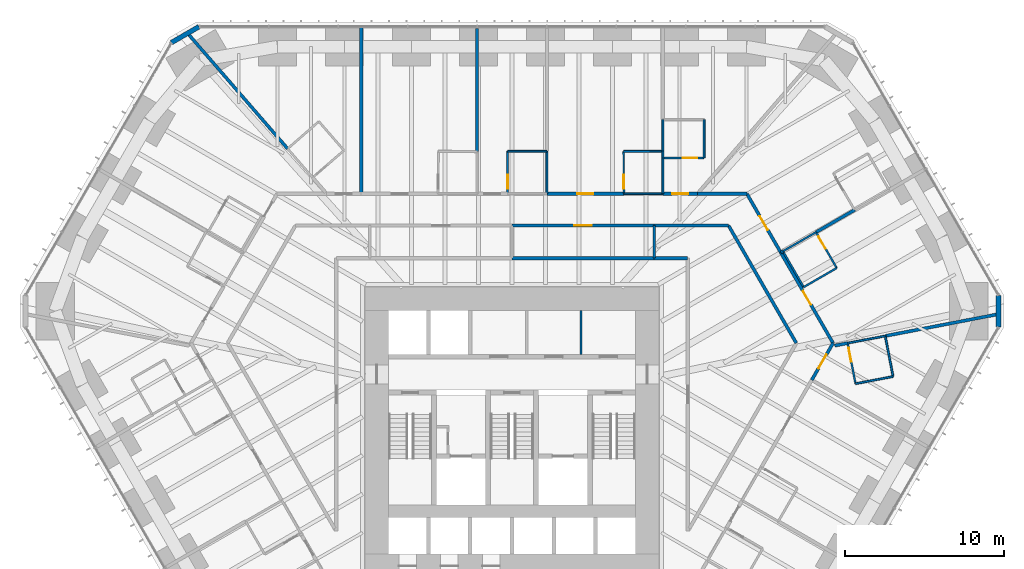
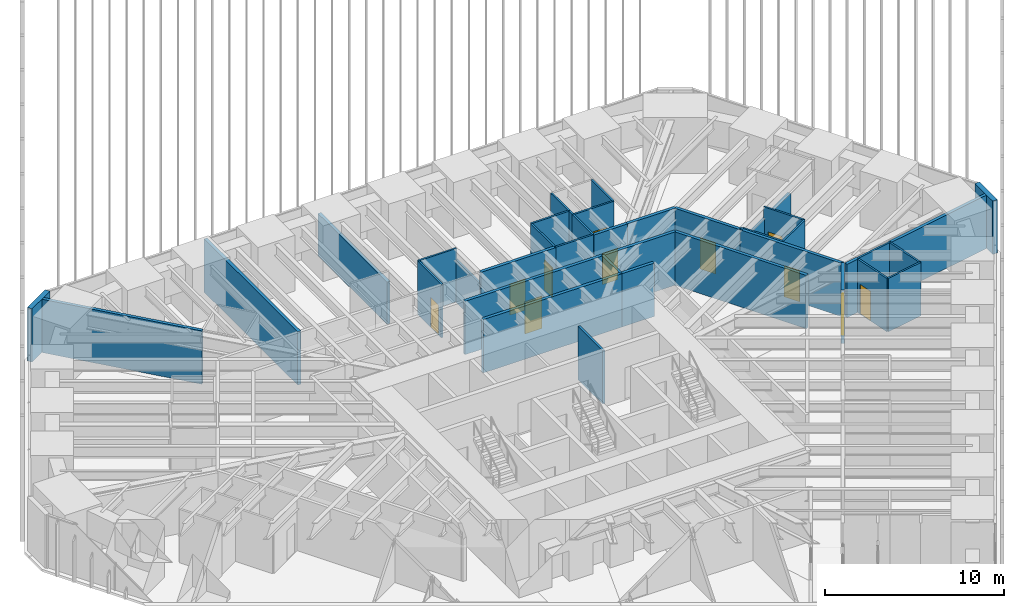
# One storey, part 254 of 256: 41 walls, 11 doors, 11 openings.
"""IFC4 building model written with IfcOpenShell, lengths in metres."""

from ifc_helpers import new_model, si_unit, direction, frame, frame_2d, origin, place, context, subcontext, project, spatial, rectangle, extrude, material, layer, layer_set, type_object, element, fill, save


model = new_model("IFC4")

# Units and contexts
model_context = context("Model", 3, precision=1e-05, world=origin(), true_north=direction((0.0, 1.0)))
body_context = subcontext(model_context, "Body", "Model", "MODEL_VIEW")
ifc_project = project(units=[si_unit("LENGTHUNIT", "METRE"), si_unit("AREAUNIT", "SQUARE_METRE"), si_unit("VOLUMEUNIT", "CUBIC_METRE"), si_unit("PLANEANGLEUNIT", "RADIAN"), si_unit("MASSUNIT", "GRAM", prefix="KILO")], contexts=[model_context])

# Site, building, storey
site_placement = place(None, origin())
site = spatial("IfcSite", under=ifc_project, at=site_placement, CompositionType="ELEMENT")
building_placement = place(site_placement, origin())
building = spatial("IfcBuilding", under=site, at=building_placement, Name="Sandreach Pilgrim Tower", CompositionType="ELEMENT")
storey_placement = place(building_placement, frame((0.0, 0.0, 23.0)))
storey = spatial("IfcBuildingStorey", under=building, at=storey_placement, Name="L04", CompositionType="ELEMENT", Elevation=23.0)

# Walls
ifc_material_1 = material(Name="Gypsum board on steel studs", Category="steel")
ifc_layer_1 = layer(ifc_material_1, 0.14990234375)
ifc_layer_set_1 = layer_set([ifc_layer_1], Name="Back of house wall 150")
wall_type_1 = type_object("IfcWallType", Name="Back of house wall 150", PredefinedType="PARTITIONING", material=ifc_layer_set_1)
wall_1_placement = place(storey_placement, frame((8.93994140625, 11.449951171875, 0.0), z_axis=(0.0, 0.0, 1.0), x_axis=(0.0, -1.0, 0.0)))
element("IfcWall", 1, at=wall_1_placement, inside=storey, type_object=wall_type_1, Name="Back of house wall L04-112", PredefinedType="PARTITIONING", context=body_context, shape_type="SweptSolid", body=[
    extrude(rectangle(XDim=2.050048828125, YDim=0.14990234375, at=frame_2d((1.02490234375, 0.0))), origin(), (0.0, 0.0, 1.0), 3.639892578125),
])
wall_2_placement = place(storey_placement, frame((4.333251953125, 3.35009765625, 0.0), z_axis=(0.0, 0.0, 1.0), x_axis=(0.0, 1.0, 0.0)))
element("IfcWall", 2, at=wall_2_placement, inside=storey, type_object=wall_type_1, Name="Core room partition L04 2", PredefinedType="PARTITIONING", context=body_context, shape_type="SweptSolid", body=[
    extrude(rectangle(XDim=2.75, YDim=0.14990234375, at=frame_2d((1.375, 0.0))), origin(), (0.0, 0.0, 1.0), 3.639892578125),
])

# Wall, opening, door
ifc_material_2 = material(Name="Moisture-resistant gypsum board on steel studs", Category="steel")
ifc_layer_2 = layer(ifc_material_2, 0.1201171875)
ifc_layer_set_2 = layer_set([ifc_layer_2], Name="Bathroom partition 120")
wall_type_2 = type_object("IfcWallType", Name="Bathroom partition 120", PredefinedType="PARTITIONING", material=ifc_layer_set_2)
wall_3_placement = place(storey_placement, frame((-0.27001953125, 16.1201171875, 0.0), z_axis=(0.0, 0.0, 1.0), x_axis=(0.0, -1.0, 0.0)))
wall_3 = element("IfcWall", 3, at=wall_3_placement, inside=storey, type_object=wall_type_2, Name="Bathroom partition L04-076", PredefinedType="PARTITIONING", context=body_context, shape_type="SweptSolid", body=[
    extrude(rectangle(XDim=2.670166015625, YDim=0.1201171875, at=frame_2d((1.3349609375, 0.0))), origin(), (0.0, 0.0, 1.0), 3.639892578125),
])
opening_1_placement = place(wall_3_placement, frame((1.469970703125, 0.0, 0.0)))
opening_1 = element("IfcOpeningElement", 4, at=opening_1_placement, cuts=wall_3, Name="Opening D09-03B", PredefinedType="OPENING", context=body_context, shape_type="SweptSolid", body=[
    extrude(rectangle(XDim=0.89990234375, YDim=2.030029296875, at=frame_2d((0.449951171875, 1.01513671875))), frame((0.0, 0.06005859375, 0.0), z_axis=(0.0, -1.0, 0.0), x_axis=(1.0, 0.0, 0.0)), (0.0, 0.0, 1.0), 0.1201171875),
])
ifc_material_3 = material(Name="Timber door, steel frame", Category="steel")
door_type_1 = type_object("IfcDoorType", Name="Bathroom door", OperationType="SINGLE_SWING_LEFT", PredefinedType="DOOR", material=ifc_material_3)
door_1_placement = place(opening_1_placement, origin())
door_1 = element("IfcDoor", 5, at=door_1_placement, inside=storey, type_object=door_type_1, Name="Door 0403B", OperationType="SINGLE_SWING_RIGHT", OverallHeight=2.030029296875, OverallWidth=0.89990234375, PredefinedType="DOOR", context=body_context, shape_type="SweptSolid", body=[
    extrude(rectangle(XDim=0.89990234375, YDim=2.030029296875, at=frame_2d((0.449951171875, 1.01513671875))), frame((0.0, 0.02490234375, 0.0), z_axis=(0.0, -1.0, 0.0), x_axis=(1.0, 0.0, 0.0)), (0.0, 0.0, 1.0), 0.050048828125),
])
fill(opening_1, door_1)

# Walls
wall_4_placement = place(storey_placement, frame((2.18994140625, 16.1201171875, 0.0), z_axis=(0.0, 0.0, 1.0), x_axis=(-1.0, 0.0, 0.0)))
element("IfcWall", 6, at=wall_4_placement, inside=storey, type_object=wall_type_2, Name="Bathroom partition L04-090", PredefinedType="PARTITIONING", context=body_context, shape_type="SweptSolid", body=[
    extrude(rectangle(XDim=2.4599609375, YDim=0.1201171875, at=frame_2d((1.22998046875, 0.0))), origin(), (0.0, 0.0, 1.0), 3.639892578125),
])
wall_5_placement = place(storey_placement, frame((2.18994140625, 16.1201171875, 0.0), z_axis=(0.0, 0.0, 1.0), x_axis=(0.0, -1.0, 0.0)))
element("IfcWall", 7, at=wall_5_placement, inside=storey, type_object=wall_type_2, Name="Bathroom partition L04-091", PredefinedType="PARTITIONING", context=body_context, shape_type="SweptSolid", body=[
    extrude(rectangle(XDim=2.670166015625, YDim=0.1201171875, at=frame_2d((1.3349609375, 0.0))), origin(), (0.0, 0.0, 1.0), 2.8779296875),
])

# Wall, opening, door
wall_6_placement = place(storey_placement, frame((7.02001953125, 16.110107421875, 0.0), z_axis=(0.0, 0.0, 1.0), x_axis=(0.003762822113, -0.99999292056, 0.0)))
wall_6 = element("IfcWall", 8, at=wall_6_placement, inside=storey, type_object=wall_type_2, Name="Bathroom partition L04-102", PredefinedType="PARTITIONING", context=body_context, shape_type="SweptSolid", body=[
    extrude(rectangle(XDim=2.66015625, YDim=0.1201171875, at=frame_2d((1.330078125, 0.0))), origin(), (0.0, 0.0, 1.0), 3.639892578125),
])
opening_2_placement = place(wall_6_placement, frame((1.4599609375, 0.0, 0.0)))
opening_2 = element("IfcOpeningElement", 9, at=opening_2_placement, cuts=wall_6, Name="Opening D09-04B", PredefinedType="OPENING", context=body_context, shape_type="SweptSolid", body=[
    extrude(rectangle(XDim=0.89990234375, YDim=2.030029296875, at=frame_2d((0.449951171875, 1.01513671875))), frame((0.0, 0.06005859375, 0.0), z_axis=(0.0, -1.0, 0.0), x_axis=(1.0, 0.0, 0.0)), (0.0, 0.0, 1.0), 0.1201171875),
])
door_2_placement = place(opening_2_placement, origin())
door_2 = element("IfcDoor", 10, at=door_2_placement, inside=storey, type_object=door_type_1, Name="Door 0404B", OperationType="SINGLE_SWING_RIGHT", OverallHeight=2.030029296875, OverallWidth=0.89990234375, PredefinedType="DOOR", context=body_context, shape_type="SweptSolid", body=[
    extrude(rectangle(XDim=0.89990234375, YDim=2.030029296875, at=frame_2d((0.449951171875, 1.01513671875))), frame((0.0, 0.02490234375, 0.0), z_axis=(0.0, -1.0, 0.0), x_axis=(1.0, 0.0, 0.0)), (0.0, 0.0, 1.0), 0.050048828125),
])
fill(opening_2, door_2)

# Walls
wall_7_placement = place(storey_placement, frame((9.47998046875, 13.449951171875, 0.0), z_axis=(0.0, 0.0, 1.0), x_axis=(-1.0, 0.0, 0.0)))
element("IfcWall", 11, at=wall_7_placement, inside=storey, type_object=wall_type_2, Name="Bathroom partition L04-115", PredefinedType="PARTITIONING", context=body_context, shape_type="SweptSolid", body=[
    extrude(rectangle(XDim=2.449951171875, YDim=0.1201171875, at=frame_2d((1.22509765625, 0.0))), origin(), (0.0, 0.0, 1.0), 3.639892578125),
])
wall_8_placement = place(storey_placement, frame((9.47998046875, 15.699951171875, 0.0), z_axis=(0.0, 0.0, 1.0), x_axis=(0.0, -1.0, 0.0)))
element("IfcWall", 12, at=wall_8_placement, inside=storey, type_object=wall_type_2, Name="Bathroom partition L04-116", PredefinedType="PARTITIONING", context=body_context, shape_type="SweptSolid", body=[
    extrude(rectangle(XDim=2.25, YDim=0.1201171875, at=frame_2d((1.125, 0.0))), origin(), (0.0, 0.0, 1.0), 3.639892578125),
])

# Wall, opening, door
wall_9_placement = place(storey_placement, frame((9.47998046875, 15.699951171875, 0.0), z_axis=(0.0, 0.0, 1.0), x_axis=(1.0, 0.0, 0.0)))
wall_9 = element("IfcWall", 13, at=wall_9_placement, inside=storey, type_object=wall_type_2, Name="Bathroom partition L04-117", PredefinedType="PARTITIONING", context=body_context, shape_type="SweptSolid", body=[
    extrude(rectangle(XDim=2.60009765625, YDim=0.1201171875, at=frame_2d((1.300048828125, 0.0))), origin(), (0.0, 0.0, 1.0), 3.639892578125),
])
opening_3_placement = place(wall_9_placement, frame((1.25, 0.0, 0.0)))
opening_3 = element("IfcOpeningElement", 14, at=opening_3_placement, cuts=wall_9, Name="Opening D09-05B", PredefinedType="OPENING", context=body_context, shape_type="SweptSolid", body=[
    extrude(rectangle(XDim=0.89990234375, YDim=2.030029296875, at=frame_2d((0.449951171875, 1.01513671875))), frame((0.0, 0.06005859375, 0.0), z_axis=(0.0, -1.0, 0.0), x_axis=(1.0, 0.0, 0.0)), (0.0, 0.0, 1.0), 0.1201171875),
])
door_3_placement = place(opening_3_placement, origin())
door_3 = element("IfcDoor", 15, at=door_3_placement, inside=storey, type_object=door_type_1, Name="Door 0405B", OperationType="SINGLE_SWING_RIGHT", OverallHeight=2.030029296875, OverallWidth=0.89990234375, PredefinedType="DOOR", context=body_context, shape_type="SweptSolid", body=[
    extrude(rectangle(XDim=0.89990234375, YDim=2.030029296875, at=frame_2d((0.449951171875, 1.01513671875))), frame((0.0, 0.02490234375, 0.0), z_axis=(0.0, -1.0, 0.0), x_axis=(1.0, 0.0, 0.0)), (0.0, 0.0, 1.0), 0.050048828125),
])
fill(opening_3, door_3)

# Walls
wall_10_placement = place(storey_placement, frame((9.47998046875, 16.1201171875, 0.0), z_axis=(0.0, 0.0, 1.0), x_axis=(-0.999991721417, -0.004069041344, 0.0)))
element("IfcWall", 16, at=wall_10_placement, inside=storey, type_object=wall_type_2, Name="Bathroom partition L04-118", PredefinedType="PARTITIONING", context=body_context, shape_type="SweptSolid", body=[
    extrude(rectangle(XDim=2.4599609375, YDim=0.1201171875, at=frame_2d((1.22998046875, 0.0))), origin(), (0.0, 0.0, 1.0), 3.639892578125),
])
wall_11_placement = place(storey_placement, frame((9.47998046875, 16.1201171875, 0.0), z_axis=(0.0, 0.0, 1.0), x_axis=(0.0, -1.0, 0.0)))
element("IfcWall", 17, at=wall_11_placement, inside=storey, type_object=wall_type_2, Name="Bathroom partition L04-119", PredefinedType="PARTITIONING", context=body_context, shape_type="SweptSolid", body=[
    extrude(rectangle(XDim=0.420166015625, YDim=0.1201171875, at=frame_2d((0.2099609375, 0.0))), origin(), (0.0, 0.0, 1.0), 3.639892578125),
])
wall_12_placement = place(storey_placement, frame((9.47998046875, 18.10009765625, 0.0), z_axis=(0.0, 0.0, 1.0), x_axis=(0.0, -1.0, 0.0)))
element("IfcWall", 18, at=wall_12_placement, inside=storey, type_object=wall_type_2, Name="Bathroom partition L04-120", PredefinedType="PARTITIONING", context=body_context, shape_type="SweptSolid", body=[
    extrude(rectangle(XDim=1.97998046875, YDim=0.1201171875, at=frame_2d((0.989990234375, 0.0))), origin(), (0.0, 0.0, 1.0), 3.639892578125),
])
wall_13_placement = place(storey_placement, frame((12.080078125, 15.699951171875, 0.0), z_axis=(0.0, 0.0, 1.0), x_axis=(0.0, 1.0, 0.0)))
element("IfcWall", 19, at=wall_13_placement, inside=storey, type_object=wall_type_2, Name="Bathroom partition L04-132", PredefinedType="PARTITIONING", context=body_context, shape_type="SweptSolid", body=[
    extrude(rectangle(XDim=2.400146484375, YDim=0.1201171875, at=frame_2d((1.2001953125, 0.0))), origin(), (0.0, 0.0, 1.0), 3.639892578125),
])
wall_14_placement = place(storey_placement, frame((17.02783203125, 9.833740234375, 0.0), z_axis=(0.0, 0.0, 1.0), x_axis=(0.867064427496, 0.498196024242, 0.0)))
element("IfcWall", 20, at=wall_14_placement, inside=storey, type_object=wall_type_2, Name="Bathroom partition L04-150", PredefinedType="PARTITIONING", context=body_context, shape_type="SweptSolid", body=[
    extrude(rectangle(XDim=2.401123046875, YDim=0.1201171875, at=frame_2d((1.20068359375, 0.0))), origin(), (0.0, 0.0, 1.0), 2.860107421875),
])
wall_15_placement = place(storey_placement, frame((17.030029296875, 9.830078125, 0.0), z_axis=(0.0, 0.0, 1.0), x_axis=(0.500291685314, -0.865856933682, 0.0)))
element("IfcWall", 21, at=wall_15_placement, inside=storey, type_object=wall_type_2, Name="Bathroom partition L04-151", PredefinedType="PARTITIONING", context=body_context, shape_type="SweptSolid", body=[
    extrude(rectangle(XDim=2.5986328125, YDim=0.1201171875, at=frame_2d((1.29931640625, 0.0))), origin(), (0.0, 0.0, 1.0), 3.639892578125),
])
wall_16_placement = place(storey_placement, frame((18.330078125, 7.580078125, 0.0), z_axis=(0.0, 0.0, 1.0), x_axis=(0.866177122335, 0.499737123639, 0.0)))
element("IfcWall", 22, at=wall_16_placement, inside=storey, type_object=wall_type_2, Name="Bathroom partition L04-154", PredefinedType="PARTITIONING", context=body_context, shape_type="SweptSolid", body=[
    extrude(rectangle(XDim=2.401123046875, YDim=0.1201171875, at=frame_2d((1.20068359375, 0.0))), origin(), (0.0, 0.0, 1.0), 3.639892578125),
])

# Wall, opening, door
wall_17_placement = place(storey_placement, frame((20.409912109375, 8.780029296875, 0.0), z_axis=(0.0, 0.0, 1.0), x_axis=(-0.500291685314, 0.865856933682, 0.0)))
wall_17 = element("IfcWall", 23, at=wall_17_placement, inside=storey, type_object=wall_type_2, Name="Bathroom partition L04-160", PredefinedType="PARTITIONING", context=body_context, shape_type="SweptSolid", body=[
    extrude(rectangle(XDim=2.5986328125, YDim=0.1201171875, at=frame_2d((1.29931640625, 0.0))), origin(), (0.0, 0.0, 1.0), 3.639892578125),
])
opening_4_placement = place(wall_17_placement, frame((1.398681640625, 0.0, 0.0)))
opening_4 = element("IfcOpeningElement", 24, at=opening_4_placement, cuts=wall_17, Name="Opening D09-07B", PredefinedType="OPENING", context=body_context, shape_type="SweptSolid", body=[
    extrude(rectangle(XDim=0.89990234375, YDim=2.030029296875, at=frame_2d((0.449951171875, 1.01513671875))), frame((0.0, 0.06005859375, 0.0), z_axis=(0.0, -1.0, 0.0), x_axis=(1.0, 0.0, 0.0)), (0.0, 0.0, 1.0), 0.1201171875),
])
door_4_placement = place(opening_4_placement, origin())
door_4 = element("IfcDoor", 25, at=door_4_placement, inside=storey, type_object=door_type_1, Name="Door 0407B", OperationType="SINGLE_SWING_RIGHT", OverallHeight=2.030029296875, OverallWidth=0.89990234375, PredefinedType="DOOR", context=body_context, shape_type="SweptSolid", body=[
    extrude(rectangle(XDim=0.89990234375, YDim=2.030029296875, at=frame_2d((0.449951171875, 1.01513671875))), frame((0.0, 0.02490234375, 0.0), z_axis=(0.0, -1.0, 0.0), x_axis=(1.0, 0.0, 0.0)), (0.0, 0.0, 1.0), 0.050048828125),
])
fill(opening_4, door_4)

wall_18_placement = place(storey_placement, frame((21.10009765625, 4.06005859375, 0.0), z_axis=(0.0, 0.0, 1.0), x_axis=(0.188697442844, -0.982035271802, 0.0)))
wall_18 = element("IfcWall", 26, at=wall_18_placement, inside=storey, type_object=wall_type_2, Name="Bathroom partition L04-161", PredefinedType="PARTITIONING", context=body_context, shape_type="SweptSolid", body=[
    extrude(rectangle(XDim=2.5966796875, YDim=0.1201171875, at=frame_2d((1.29833984375, 0.0))), origin(), (0.0, 0.0, 1.0), 3.639892578125),
])
opening_5_placement = place(wall_18_placement, frame((0.300048828125, 0.0, 0.0)))
opening_5 = element("IfcOpeningElement", 27, at=opening_5_placement, cuts=wall_18, Name="Opening D09-08B", PredefinedType="OPENING", context=body_context, shape_type="SweptSolid", body=[
    extrude(rectangle(XDim=0.89990234375, YDim=2.030029296875, at=frame_2d((0.449951171875, 1.01513671875))), frame((0.0, 0.06005859375, 0.0), z_axis=(0.0, -1.0, 0.0), x_axis=(1.0, 0.0, 0.0)), (0.0, 0.0, 1.0), 0.1201171875),
])
door_5_placement = place(opening_5_placement, origin())
door_5 = element("IfcDoor", 28, at=door_5_placement, inside=storey, type_object=door_type_1, Name="Door 0408B", OperationType="SINGLE_SWING_LEFT", OverallHeight=2.030029296875, OverallWidth=0.89990234375, PredefinedType="DOOR", context=body_context, shape_type="SweptSolid", body=[
    extrude(rectangle(XDim=0.89990234375, YDim=2.030029296875, at=frame_2d((0.449951171875, 1.01513671875))), frame((0.0, 0.02490234375, 0.0), z_axis=(0.0, -1.0, 0.0), x_axis=(1.0, 0.0, 0.0)), (0.0, 0.0, 1.0), 0.050048828125),
])
fill(opening_5, door_5)

# Walls
wall_19_placement = place(storey_placement, frame((21.099853515625, 4.06005859375, 0.0), z_axis=(0.0, 0.0, 1.0), x_axis=(0.982307423658, 0.187275533444, 0.0)))
element("IfcWall", 29, at=wall_19_placement, inside=storey, type_object=wall_type_2, Name="Bathroom partition L04-162", PredefinedType="PARTITIONING", context=body_context, shape_type="SweptSolid", body=[
    extrude(rectangle(XDim=2.402587890625, YDim=0.1201171875, at=frame_2d((1.201171875, 0.0))), origin(), (0.0, 0.0, 1.0), 3.639892578125),
])
wall_20_placement = place(storey_placement, frame((21.590087890625, 1.510009765625, 0.0), z_axis=(0.0, 0.0, 1.0), x_axis=(0.982303859288, 0.187294228499, 0.0)))
element("IfcWall", 30, at=wall_20_placement, inside=storey, type_object=wall_type_2, Name="Bathroom partition L04-164", PredefinedType="PARTITIONING", context=body_context, shape_type="SweptSolid", body=[
    extrude(rectangle(XDim=2.40234375, YDim=0.1201171875, at=frame_2d((1.201171875, 0.0))), origin(), (0.0, 0.0, 1.0), 3.639892578125),
])
wall_21_placement = place(storey_placement, frame((23.949951171875, 1.9599609375, 0.0), z_axis=(0.0, 0.0, 1.0), x_axis=(-0.188697442844, 0.982035271802, 0.0)))
element("IfcWall", 31, at=wall_21_placement, inside=storey, type_object=wall_type_2, Name="Bathroom partition L04-169", PredefinedType="PARTITIONING", context=body_context, shape_type="SweptSolid", body=[
    extrude(rectangle(XDim=2.5966796875, YDim=0.1201171875, at=frame_2d((1.29833984375, 0.0))), origin(), (0.0, 0.0, 1.0), 3.639892578125),
])

# Wall, opening, door
ifc_material_4 = material(Name="Gypsum board on steel studs, two layers each side", Category="steel")
ifc_layer_3 = layer(ifc_material_4, 0.199951171875)
ifc_layer_set_3 = layer_set([ifc_layer_3], Name="Corridor wall 200")
wall_type_3 = type_object("IfcWallType", Name="Corridor wall 200", PredefinedType="PARTITIONING", material=ifc_layer_set_3)
wall_22_placement = place(storey_placement, frame((0.0, 11.449951171875, 0.0), z_axis=(0.0, 0.0, 1.0), x_axis=(1.0, 0.0, 0.0)))
wall_22 = element("IfcWall", 32, at=wall_22_placement, inside=storey, type_object=wall_type_3, Name="Corridor wall L04-086", PredefinedType="PARTITIONING", context=body_context, shape_type="SweptSolid", body=[
    extrude(rectangle(XDim=8.93994140625, YDim=0.199951171875, at=frame_2d((4.469970703125, 0.0))), origin(), (0.0, 0.0, 1.0), 3.639892578125),
])
opening_6_placement = place(wall_22_placement, frame((3.919921875, 0.0, 0.0)))
opening_6 = element("IfcOpeningElement", 33, at=opening_6_placement, cuts=wall_22, Name="Opening D11H-M03", PredefinedType="OPENING", context=body_context, shape_type="SweptSolid", body=[
    extrude(rectangle(XDim=1.10009765625, YDim=2.199951171875, at=frame_2d((0.550048828125, 1.10009765625))), frame((0.0, 0.10009765625, 0.0), z_axis=(0.0, -1.0, 0.0), x_axis=(1.0, 0.0, 0.0)), (0.0, 0.0, 1.0), 0.199951171875),
])
ifc_material_5 = material(Name="Steel door and frame", Category="steel")
door_type_2 = type_object("IfcDoorType", Name="Back of house door", OperationType="SINGLE_SWING_LEFT", PredefinedType="DOOR", material=ifc_material_5)
door_6_placement = place(opening_6_placement, origin())
door_6 = element("IfcDoor", 34, at=door_6_placement, inside=storey, type_object=door_type_2, Name="Door 04M03", OperationType="SINGLE_SWING_LEFT", OverallHeight=2.199951171875, OverallWidth=1.10009765625, PredefinedType="DOOR", context=body_context, shape_type="SweptSolid", body=[
    extrude(rectangle(XDim=1.10009765625, YDim=2.199951171875, at=frame_2d((0.550048828125, 1.10009765625))), frame((0.0, 0.02490234375, 0.0), z_axis=(0.0, -1.0, 0.0), x_axis=(1.0, 0.0, 0.0)), (0.0, 0.0, 1.0), 0.050048828125),
])
fill(opening_6, door_6)

wall_23_placement = place(storey_placement, frame((7.030029296875, 13.449951171875, 0.0), z_axis=(0.0, 0.0, 1.0), x_axis=(-1.0, 0.0, 0.0)))
wall_23 = element("IfcWall", 35, at=wall_23_placement, inside=storey, type_object=wall_type_3, Name="Corridor wall L04-103", PredefinedType="PARTITIONING", context=body_context, shape_type="SweptSolid", body=[
    extrude(rectangle(XDim=4.840087890625, YDim=0.199951171875, at=frame_2d((2.419921875, 0.0))), origin(), (0.0, 0.0, 1.0), 3.639892578125),
])
opening_7_placement = place(wall_23_placement, frame((1.919921875, 0.0, 0.0)))
opening_7 = element("IfcOpeningElement", 36, at=opening_7_placement, cuts=wall_23, Name="Opening D10-04", PredefinedType="OPENING", context=body_context, shape_type="SweptSolid", body=[
    extrude(rectangle(XDim=1.0, YDim=2.1298828125, at=frame_2d((0.5, 1.06494140625))), frame((0.0, 0.10009765625, 0.0), z_axis=(0.0, -1.0, 0.0), x_axis=(1.0, 0.0, 0.0)), (0.0, 0.0, 1.0), 0.199951171875),
])
ifc_material_6 = material(Name="Steel door and frame", Category="steel")
door_type_3 = type_object("IfcDoorType", Name="Guest room entry door", OperationType="SINGLE_SWING_LEFT", PredefinedType="DOOR", material=ifc_material_6)
door_7_placement = place(opening_7_placement, origin())
door_7 = element("IfcDoor", 37, at=door_7_placement, inside=storey, type_object=door_type_3, Name="Door 0404", OperationType="SINGLE_SWING_LEFT", OverallHeight=2.1298828125, OverallWidth=1.0, PredefinedType="DOOR", context=body_context, shape_type="SweptSolid", body=[
    extrude(rectangle(XDim=1.0, YDim=2.1298828125, at=frame_2d((0.5, 1.06494140625))), frame((0.0, 0.02490234375, 0.0), z_axis=(0.0, -1.0, 0.0), x_axis=(1.0, 0.0, 0.0)), (0.0, 0.0, 1.0), 0.050048828125),
])
fill(opening_7, door_7)

# Walls
wall_24_placement = place(storey_placement, frame((8.93994140625, 9.39990234375, 0.0), z_axis=(0.0, 0.0, 1.0), x_axis=(-1.0, 0.0, 0.0)))
element("IfcWall", 38, at=wall_24_placement, inside=storey, type_object=wall_type_3, Name="Corridor wall L04-111", PredefinedType="PARTITIONING", context=body_context, shape_type="SweptSolid", body=[
    extrude(rectangle(XDim=8.93994140625, YDim=0.199951171875, at=frame_2d((4.469970703125, 0.0))), origin(), (0.0, 0.0, 1.0), 3.639892578125),
])
wall_25_placement = place(storey_placement, frame((8.93994140625, 11.449951171875, 0.0), z_axis=(0.0, 0.0, 1.0), x_axis=(1.0, 0.0, 0.0)))
element("IfcWall", 39, at=wall_25_placement, inside=storey, type_object=wall_type_3, Name="Corridor wall L04-113", PredefinedType="PARTITIONING", context=body_context, shape_type="SweptSolid", body=[
    extrude(rectangle(XDim=4.670166015625, YDim=0.199951171875, at=frame_2d((2.3349609375, 0.0))), origin(), (0.0, 0.0, 1.0), 3.639892578125),
])
wall_26_placement = place(storey_placement, frame((11.0400390625, 9.39990234375, 0.0), z_axis=(0.0, 0.0, 1.0), x_axis=(-1.0, 0.0, 0.0)))
element("IfcWall", 40, at=wall_26_placement, inside=storey, type_object=wall_type_3, Name="Corridor wall L04-127", PredefinedType="PARTITIONING", context=body_context, shape_type="SweptSolid", body=[
    extrude(rectangle(XDim=2.10009765625, YDim=0.199951171875, at=frame_2d((1.050048828125, 0.0))), origin(), (0.0, 0.0, 1.0), 3.639892578125),
])

# Wall, opening, door
wall_27_placement = place(storey_placement, frame((11.64990234375, 13.449951171875, 0.0), z_axis=(0.0, 0.0, 1.0), x_axis=(-1.0, 0.0, 0.0)))
wall_27 = element("IfcWall", 41, at=wall_27_placement, inside=storey, type_object=wall_type_3, Name="Corridor wall L04-130", PredefinedType="PARTITIONING", context=body_context, shape_type="SweptSolid", body=[
    extrude(rectangle(XDim=2.169921875, YDim=0.199951171875, at=frame_2d((1.0849609375, 0.0))), origin(), (0.0, 0.0, 1.0), 3.639892578125),
])
opening_8_placement = place(wall_27_placement, frame((0.5849609375, 0.0, 0.0)))
opening_8 = element("IfcOpeningElement", 42, at=opening_8_placement, cuts=wall_27, Name="Opening D10-05", PredefinedType="OPENING", context=body_context, shape_type="SweptSolid", body=[
    extrude(rectangle(XDim=1.0, YDim=2.1298828125, at=frame_2d((0.5, 1.06494140625))), frame((0.0, 0.10009765625, 0.0), z_axis=(0.0, -1.0, 0.0), x_axis=(1.0, 0.0, 0.0)), (0.0, 0.0, 1.0), 0.199951171875),
])
door_8_placement = place(opening_8_placement, origin())
door_8 = element("IfcDoor", 43, at=door_8_placement, inside=storey, type_object=door_type_3, Name="Door 0405", OperationType="SINGLE_SWING_LEFT", OverallHeight=2.1298828125, OverallWidth=1.0, PredefinedType="DOOR", context=body_context, shape_type="SweptSolid", body=[
    extrude(rectangle(XDim=1.0, YDim=2.1298828125, at=frame_2d((0.5, 1.06494140625))), frame((0.0, 0.02490234375, 0.0), z_axis=(0.0, -1.0, 0.0), x_axis=(1.0, 0.0, 0.0)), (0.0, 0.0, 1.0), 0.050048828125),
])
fill(opening_8, door_8)

# Walls
wall_28_placement = place(storey_placement, frame((13.610107421875, 11.449951171875, 0.0), z_axis=(0.0, 0.0, 1.0), x_axis=(0.499402776741, -0.866369936334, 0.0)))
element("IfcWall", 44, at=wall_28_placement, inside=storey, type_object=wall_type_3, Name="Corridor wall L04-137", PredefinedType="PARTITIONING", context=body_context, shape_type="SweptSolid", body=[
    extrude(rectangle(XDim=8.52978515625, YDim=0.199951171875, at=frame_2d((4.264892578125, 0.0))), origin(), (0.0, 0.0, 1.0), 3.639892578125),
])
wall_29_placement = place(storey_placement, frame((14.760009765625, 13.449951171875, 0.0), z_axis=(0.0, 0.0, 1.0), x_axis=(-1.0, 0.0, 0.0)))
element("IfcWall", 45, at=wall_29_placement, inside=storey, type_object=wall_type_3, Name="Corridor wall L04-142", PredefinedType="PARTITIONING", context=body_context, shape_type="SweptSolid", body=[
    extrude(rectangle(XDim=3.110107421875, YDim=0.199951171875, at=frame_2d((1.55517578125, 0.0))), origin(), (0.0, 0.0, 1.0), 3.639892578125),
])

# Wall, opening, door
wall_30_placement = place(storey_placement, frame((14.760009765625, 13.449951171875, 0.0), z_axis=(0.0, 0.0, 1.0), x_axis=(0.499894213467, -0.866086471054, 0.0)))
wall_30 = element("IfcWall", 46, at=wall_30_placement, inside=storey, type_object=wall_type_3, Name="Corridor wall L04-143", PredefinedType="PARTITIONING", context=body_context, shape_type="SweptSolid", body=[
    extrude(rectangle(XDim=4.265625, YDim=0.199951171875, at=frame_2d((2.1328125, 0.0))), origin(), (0.0, 0.0, 1.0), 3.639892578125),
])
opening_9_placement = place(wall_30_placement, frame((1.6328125, 0.0, 0.0)))
opening_9 = element("IfcOpeningElement", 47, at=opening_9_placement, cuts=wall_30, Name="Opening D10-06", PredefinedType="OPENING", context=body_context, shape_type="SweptSolid", body=[
    extrude(rectangle(XDim=1.0, YDim=2.1298828125, at=frame_2d((0.5, 1.06494140625))), frame((0.0, 0.10009765625, 0.0), z_axis=(0.0, -1.0, 0.0), x_axis=(1.0, 0.0, 0.0)), (0.0, 0.0, 1.0), 0.199951171875),
])
door_9_placement = place(opening_9_placement, origin())
door_9 = element("IfcDoor", 48, at=door_9_placement, inside=storey, type_object=door_type_3, Name="Door 0406", OperationType="SINGLE_SWING_LEFT", OverallHeight=2.1298828125, OverallWidth=1.0, PredefinedType="DOOR", context=body_context, shape_type="SweptSolid", body=[
    extrude(rectangle(XDim=1.0, YDim=2.1298828125, at=frame_2d((0.5, 1.06494140625))), frame((0.0, 0.02490234375, 0.0), z_axis=(0.0, -1.0, 0.0), x_axis=(1.0, 0.0, 0.0)), (0.0, 0.0, 1.0), 0.050048828125),
])
fill(opening_9, door_9)

wall_31_placement = place(storey_placement, frame((16.892333984375, 9.755615234375, 0.0), z_axis=(0.0, 0.0, 1.0), x_axis=(0.499916344562, -0.866073696887, 0.0)))
wall_31 = element("IfcWall", 49, at=wall_31_placement, inside=storey, type_object=wall_type_3, Name="Corridor wall L04-148", PredefinedType="PARTITIONING", context=body_context, shape_type="SweptSolid", body=[
    extrude(rectangle(XDim=6.576416015625, YDim=0.199951171875, at=frame_2d((3.2880859375, 0.0))), origin(), (0.0, 0.0, 1.0), 3.639892578125),
])
opening_10_placement = place(wall_31_placement, frame((2.7880859375, 0.0, 0.0)))
opening_10 = element("IfcOpeningElement", 50, at=opening_10_placement, cuts=wall_31, Name="Opening D10-07", PredefinedType="OPENING", context=body_context, shape_type="SweptSolid", body=[
    extrude(rectangle(XDim=1.0, YDim=2.1298828125, at=frame_2d((0.5, 1.06494140625))), frame((0.0, 0.10009765625, 0.0), z_axis=(0.0, -1.0, 0.0), x_axis=(1.0, 0.0, 0.0)), (0.0, 0.0, 1.0), 0.199951171875),
])
door_10_placement = place(opening_10_placement, origin())
door_10 = element("IfcDoor", 51, at=door_10_placement, inside=storey, type_object=door_type_3, Name="Door 0407", OperationType="SINGLE_SWING_LEFT", OverallHeight=2.1298828125, OverallWidth=1.0, PredefinedType="DOOR", context=body_context, shape_type="SweptSolid", body=[
    extrude(rectangle(XDim=1.0, YDim=2.1298828125, at=frame_2d((0.5, 1.06494140625))), frame((0.0, 0.02490234375, 0.0), z_axis=(0.0, -1.0, 0.0), x_axis=(1.0, 0.0, 0.0)), (0.0, 0.0, 1.0), 0.050048828125),
])
fill(opening_10, door_10)

wall_32_placement = place(storey_placement, frame((18.840087890625, 1.739990234375, 0.0), z_axis=(0.0, 0.0, 1.0), x_axis=(0.500098439427, 0.865968562295, 0.0)))
wall_32 = element("IfcWall", 52, at=wall_32_placement, inside=storey, type_object=wall_type_3, Name="Corridor wall L04-155", PredefinedType="PARTITIONING", context=body_context, shape_type="SweptSolid", body=[
    extrude(rectangle(XDim=2.67919921875, YDim=0.199951171875, at=frame_2d((1.339599609375, 0.0))), origin(), (0.0, 0.0, 1.0), 3.639892578125),
])
opening_11_placement = place(wall_32_placement, frame((0.839599609375, 0.0, 0.0)))
opening_11 = element("IfcOpeningElement", 53, at=opening_11_placement, cuts=wall_32, Name="Opening D10-08", PredefinedType="OPENING", context=body_context, shape_type="SweptSolid", body=[
    extrude(rectangle(XDim=1.0, YDim=2.1298828125, at=frame_2d((0.5, 1.06494140625))), frame((0.0, 0.10009765625, 0.0), z_axis=(0.0, -1.0, 0.0), x_axis=(1.0, 0.0, 0.0)), (0.0, 0.0, 1.0), 0.199951171875),
])
door_11_placement = place(opening_11_placement, origin())
door_11 = element("IfcDoor", 54, at=door_11_placement, inside=storey, type_object=door_type_3, Name="Door 0408", OperationType="SINGLE_SWING_LEFT", OverallHeight=2.1298828125, OverallWidth=1.0, PredefinedType="DOOR", context=body_context, shape_type="SweptSolid", body=[
    extrude(rectangle(XDim=1.0, YDim=2.1298828125, at=frame_2d((0.5, 1.06494140625))), frame((0.0, 0.02490234375, 0.0), z_axis=(0.0, -1.0, 0.0), x_axis=(1.0, 0.0, 0.0)), (0.0, 0.0, 1.0), 0.050048828125),
])
fill(opening_11, door_11)

# Walls
ifc_material_7 = material(Name="Double steel stud acoustic wall, gypsum board", Category="steel")
ifc_layer_4 = layer(ifc_material_7, 0.199951171875)
ifc_layer_set_4 = layer_set([ifc_layer_4], Name="Party wall 200")
wall_type_4 = type_object("IfcWallType", Name="Party wall 200", PredefinedType="PARTITIONING", material=ifc_layer_set_4)
wall_33_placement = place(storey_placement, frame((-20.400390625, 23.54736328125, 0.0), z_axis=(0.0, 0.0, 1.0), x_axis=(0.654910244559, -0.755706670323, 0.0)))
element("IfcWall", 55, at=wall_33_placement, inside=storey, type_object=wall_type_4, Name="Party wall L04-013", PredefinedType="PARTITIONING", context=body_context, shape_type="SweptSolid", body=[
    extrude(rectangle(XDim=9.6181640625, YDim=0.199951171875, at=frame_2d((4.80908203125, 0.0))), origin(), (0.0, 0.0, 1.0), 3.639892578125),
])
wall_34_placement = place(storey_placement, frame((-9.47998046875, 23.919921875, 0.0), z_axis=(0.0, 0.0, 1.0), x_axis=(0.0, -1.0, 0.0)))
element("IfcWall", 56, at=wall_34_placement, inside=storey, type_object=wall_type_4, Name="Party wall L04-054", PredefinedType="PARTITIONING", context=body_context, shape_type="SweptSolid", body=[
    extrude(rectangle(XDim=10.4599609375, YDim=0.199951171875, at=frame_2d((5.22998046875, 0.0))), origin(), (0.0, 0.0, 1.0), 3.639892578125),
])
wall_35_placement = place(storey_placement, frame((-2.18994140625, 23.830078125, 0.0), z_axis=(0.0, 0.0, 1.0), x_axis=(0.0, -1.0, 0.0)))
element("IfcWall", 57, at=wall_35_placement, inside=storey, type_object=wall_type_4, Name="Party wall L04-074", PredefinedType="PARTITIONING", context=body_context, shape_type="SweptSolid", body=[
    extrude(rectangle(XDim=7.72998046875, YDim=0.199951171875, at=frame_2d((3.864990234375, 0.0))), origin(), (0.0, 0.0, 1.0), 2.8779296875),
])
wall_36_placement = place(storey_placement, frame((16.904296875, 9.762451171875, 0.0), z_axis=(0.0, 0.0, 1.0), x_axis=(0.875926787791, 0.482444051088, 0.0)))
element("IfcWall", 58, at=wall_36_placement, inside=storey, type_object=wall_type_4, Name="Party wall L04-149", PredefinedType="PARTITIONING", context=body_context, shape_type="SweptSolid", body=[
    extrude(rectangle(XDim=0.142822265625, YDim=0.199951171875, at=frame_2d((0.0712890625, 0.0))), origin(), (0.0, 0.0, 1.0), 3.639892578125),
])
wall_37_placement = place(storey_placement, frame((19.110107421875, 11.030029296875, 0.0), z_axis=(0.0, 0.0, 1.0), x_axis=(0.865839219242, 0.500322342518, 0.0)))
element("IfcWall", 59, at=wall_37_placement, inside=storey, type_object=wall_type_4, Name="Party wall L04-156", PredefinedType="PARTITIONING", context=body_context, shape_type="SweptSolid", body=[
    extrude(rectangle(XDim=2.818115234375, YDim=0.199951171875, at=frame_2d((1.4091796875, 0.0))), origin(), (0.0, 0.0, 1.0), 2.860107421875),
])
wall_38_placement = place(storey_placement, frame((20.281005859375, 3.90087890625, 0.0), z_axis=(0.0, 0.0, 1.0), x_axis=(0.981624527768, 0.190822657157, 0.0)))
element("IfcWall", 60, at=wall_38_placement, inside=storey, type_object=wall_type_4, Name="Party wall L04-158", PredefinedType="PARTITIONING", context=body_context, shape_type="SweptSolid", body=[
    extrude(rectangle(XDim=0.834228515625, YDim=0.199951171875, at=frame_2d((0.4169921875, 0.0))), origin(), (0.0, 0.0, 1.0), 3.639892578125),
])
wall_39_placement = place(storey_placement, frame((23.4599609375, 4.510009765625, 0.0), z_axis=(0.0, 0.0, 1.0), x_axis=(0.981929870864, 0.189245155035, 0.0)))
element("IfcWall", 61, at=wall_39_placement, inside=storey, type_object=wall_type_4, Name="Party wall L04-166", PredefinedType="PARTITIONING", context=body_context, shape_type="SweptSolid", body=[
    extrude(rectangle(XDim=7.26171875, YDim=0.199951171875, at=frame_2d((3.630859375, 0.0))), origin(), (0.0, 0.0, 1.0), 3.639892578125),
])
ifc_material_8 = material(Name="Terracotta rainscreen on concrete", Category="masonry")
ifc_layer_5 = layer(ifc_material_8, 0.300048828125)
ifc_layer_set_5 = layer_set([ifc_layer_5], Name="Terracotta chamfer pier")
wall_type_5 = type_object("IfcWallType", Name="Terracotta chamfer pier", PredefinedType="SOLIDWALL", material=ifc_layer_set_5)
for number, where, z_axis, x_axis, name in (
    (62, (30.576171875, 7.062255859375, 0.0), (0.0, 0.0, 1.0), (0.0, -1.0, 0.0), "Chamfer pier L04 NE"),
    (63, (-21.404052734375, 22.94873046875, 0.0), (0.0, 0.0, 1.0), (0.866010750942, 0.50002537861, 0.0), "Chamfer pier L04 NW"),
):
    element("IfcWall", number, at=place(storey_placement, frame(where, z_axis=z_axis, x_axis=x_axis)), inside=storey, type_object=wall_type_5, Name=name, PredefinedType="SOLIDWALL", context=body_context, shape_type="SweptSolid", body=[
        extrude(rectangle(XDim=2.0, YDim=0.300048828125, at=frame_2d((1.0, 0.0))), origin(), (0.0, 0.0, 1.0), 3.639892578125),
    ])

save(model, "model.ifc")
